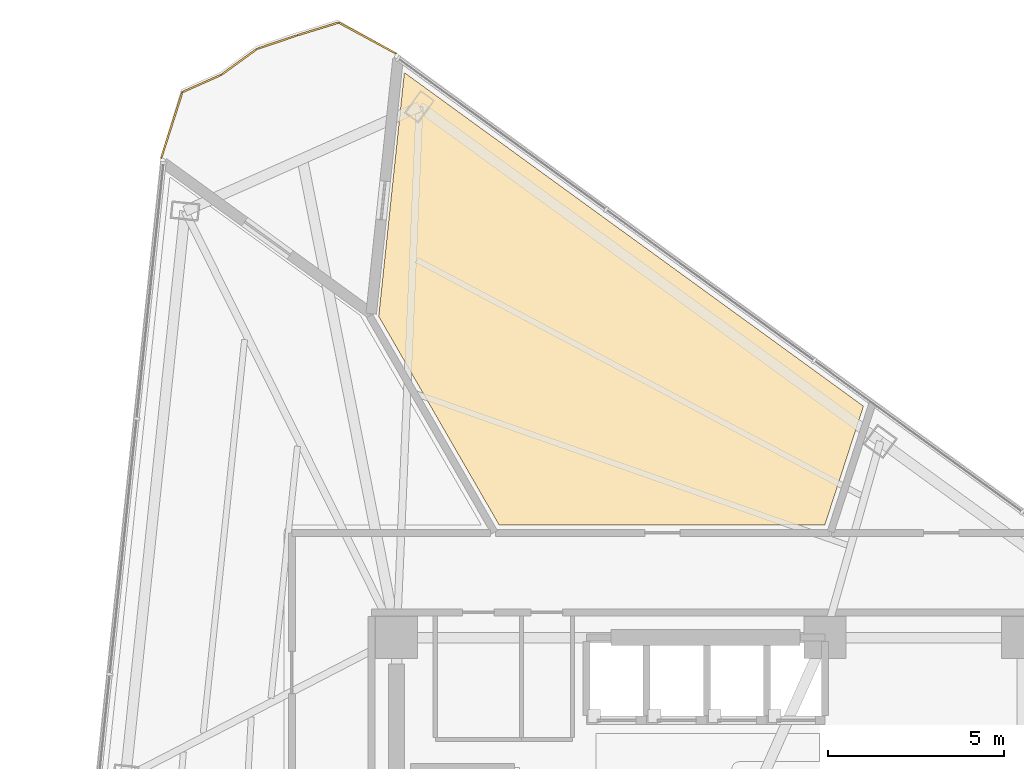
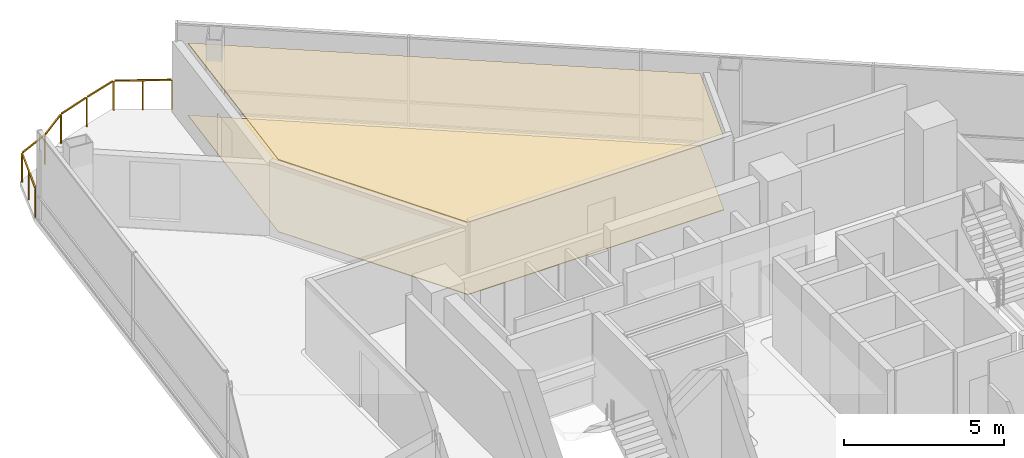
# One storey, part 19 of 19: 2 coverings, 1 railing.
"""IFC4 building model written with IfcOpenShell, lengths in metres."""

from ifc_helpers import new_model, si_unit, direction, frame, origin, origin_2d, place, context, subcontext, project, spatial, polyline, rectangle, outline, extrude, material, layer, layer_set, type_object, element, save


model = new_model("IFC4")

# Units and contexts
model_context = context("Model", 3, precision=1e-05, world=origin(), true_north=direction((0.0, 1.0)))
body_context = subcontext(model_context, "Body", "Model", "MODEL_VIEW")
ifc_project = project(units=[si_unit("LENGTHUNIT", "METRE"), si_unit("AREAUNIT", "SQUARE_METRE"), si_unit("VOLUMEUNIT", "CUBIC_METRE"), si_unit("PLANEANGLEUNIT", "RADIAN"), si_unit("MASSUNIT", "GRAM", prefix="KILO")], contexts=[model_context])

# Site, building, storey
site_placement = place(None, origin())
site = spatial("IfcSite", under=ifc_project, at=site_placement, CompositionType="ELEMENT")
building_placement = place(site_placement, origin())
building = spatial("IfcBuilding", under=site, at=building_placement, Name="Tharavind Bronze Gate", CompositionType="ELEMENT")
storey_placement = place(building_placement, frame((0.0, 0.0, 116.050048828125)))
storey = spatial("IfcBuildingStorey", under=building, at=storey_placement, Name="L29", CompositionType="ELEMENT", Elevation=116.050048828125)

# Coverings
ifc_material_1 = material(Name="Engineered Oak & Carpet Tile", Category="wood")
ifc_layer_1 = layer(ifc_material_1, 0.02490234375)
ifc_layer_set_1 = layer_set([ifc_layer_1], Name="Engineered Oak & Carpet Tile")
covering_type_1 = type_object("IfcCoveringType", Name="ENGINEERED TIMBER FLOORING", PredefinedType="FLOORING", material=ifc_layer_set_1)
covering_1_placement = place(storey_placement, origin())
element("IfcCovering", 1, at=covering_1_placement, inside=storey, type_object=covering_type_1, Name="L29-RM-02 floor finish", PredefinedType="FLOORING", context=body_context, shape_type="SweptSolid", body=[
    extrude(outline(polyline([(-5.981201171875, 10.800048828125), (3.27783203125, 10.800048828125), (4.376953125, 14.1826171875), (-8.6796875, 23.6689453125), (-9.40283203125, 16.78857421875), (-9.404296875, 16.777587890625), (-9.404296875, 16.777099609375), (-9.408935546875, 16.755615234375), (-9.41259765625, 16.743408203125), (-5.981201171875, 10.800048828125)])), origin(), (0.0, 0.0, 1.0), 0.02490234375),
])
ifc_material_2 = material(Name="Acoustic Gypsum Board", Category="gypsum")
ifc_layer_2 = layer(ifc_material_2, 0.030029296875)
ifc_layer_set_2 = layer_set([ifc_layer_2], Name="Acoustic Gypsum Board")
covering_type_2 = type_object("IfcCoveringType", Name="GYPSUM SUSPENDED CEILING", PredefinedType="CEILING", material=ifc_layer_set_2)
covering_2_placement = place(storey_placement, frame((0.0, 0.0, 2.75)))
element("IfcCovering", 2, at=covering_2_placement, inside=storey, type_object=covering_type_2, Name="L29-RM-02 suspended ceiling", PredefinedType="CEILING", context=body_context, shape_type="SweptSolid", body=[
    extrude(outline(polyline([(-5.981201171875, 10.800048828125), (3.27783203125, 10.800048828125), (4.376953125, 14.1826171875), (-8.6796875, 23.6689453125), (-9.40283203125, 16.78857421875), (-9.404296875, 16.777587890625), (-9.404296875, 16.777099609375), (-9.408935546875, 16.755615234375), (-9.41259765625, 16.743408203125), (-5.981201171875, 10.800048828125)])), origin(), (0.0, 0.0, 1.0), 0.034912109375),
])

# Railing
ifc_material_3 = material(Name="Bronze Cap & Laminated Glass", Category="glass")
railing_type = type_object("IfcRailingType", Name="TERRACE GLASS GUARD RAILING 1150", PredefinedType="GUARDRAIL", material=ifc_material_3)
railing_placement = place(storey_placement, frame((-15.5927734375, 21.247802734375, 0.0)))
element("IfcRailing", 3, at=railing_placement, inside=storey, type_object=railing_type, Name="L29 tree balcony guard railing", PredefinedType="GUARDRAIL", context=body_context, shape_type="SweptSolid", body=[
    extrude(rectangle(XDim=0.048095703125, YDim=0.048095703125, at=origin_2d()), frame((0.009765625, 0.030517578125, 1.1259765625), z_axis=(0.305964803424, 0.952042824176, 0.0), x_axis=(-0.952042824176, 0.305964803424, 0.0)), (0.0, 0.0, 1.0), 1.89501953125),
    extrude(rectangle(XDim=0.048095703125, YDim=0.048095703125, at=origin_2d()), frame((0.628662109375, 1.8779296875, 1.1259765625), z_axis=(0.913480304847, 0.406882947119, 0.0), x_axis=(-0.406882947119, 0.913480304847, 0.0)), (0.0, 0.0, 1.0), 1.15283203125),
    extrude(rectangle(XDim=0.048095703125, YDim=0.048095703125, at=origin_2d()), frame((1.73681640625, 2.37890625, 1.1259765625), z_axis=(0.808328551704, 0.588731647272, 0.0), x_axis=(-0.588731647272, 0.808328551704, 0.0)), (0.0, 0.0, 1.0), 1.18017578125),
    extrude(rectangle(XDim=0.048095703125, YDim=0.048095703125, at=origin_2d()), frame((2.746826171875, 3.102783203125, 1.1259765625), z_axis=(0.947113235221, 0.32089954763, 0.0), x_axis=(-0.32089954763, 0.947113235221, 0.0)), (0.0, 0.0, 1.0), 1.157958984375),
    extrude(rectangle(XDim=0.048095703125, YDim=0.048095703125, at=origin_2d()), frame((3.904296875, 3.493896484375, 1.1259765625), z_axis=(0.955925323722, 0.293609903556, 0.0), x_axis=(-0.293609903556, 0.955925323722, 0.0)), (0.0, 0.0, 1.0), 1.16162109375),
    extrude(rectangle(XDim=0.048095703125, YDim=0.048095703125, at=origin_2d()), frame((5.073486328125, 3.829345703125, 1.1259765625), z_axis=(0.880237226365, -0.474533903236, 0.0), x_axis=(0.474533903236, 0.880237226365, 0.0)), (0.0, 0.0, 1.0), 1.780517578125),
    extrude(rectangle(XDim=0.0400390625, YDim=0.0400390625, at=origin_2d()), origin(), (0.0, 0.0, 1.0), 1.097900390625),
    extrude(rectangle(XDim=0.0400390625, YDim=0.0400390625, at=origin_2d()), frame((0.2998046875, 0.9326171875, 0.0)), (0.0, 0.0, 1.0), 1.097900390625),
    extrude(rectangle(XDim=0.0400390625, YDim=0.0400390625, at=origin_2d()), frame((0.599365234375, 1.864990234375, 0.0)), (0.0, 0.0, 1.0), 1.097900390625),
    extrude(rectangle(XDim=0.0400390625, YDim=0.0400390625, at=origin_2d()), frame((1.7109375, 2.360107421875, 0.0)), (0.0, 0.0, 1.0), 1.097900390625),
    extrude(rectangle(XDim=0.0400390625, YDim=0.0400390625, at=origin_2d()), frame((2.716552734375, 3.092529296875, 0.0)), (0.0, 0.0, 1.0), 1.097900390625),
    extrude(rectangle(XDim=0.0400390625, YDim=0.0400390625, at=origin_2d()), frame((3.873779296875, 3.484619140625, 0.0)), (0.0, 0.0, 1.0), 1.097900390625),
    extrude(rectangle(XDim=0.0400390625, YDim=0.0400390625, at=origin_2d()), frame((5.04541015625, 3.844482421875, 0.0)), (0.0, 0.0, 1.0), 1.097900390625),
    extrude(rectangle(XDim=0.0400390625, YDim=0.0400390625, at=origin_2d()), frame((5.857177734375, 3.40673828125, 0.0)), (0.0, 0.0, 1.0), 1.097900390625),
    extrude(rectangle(XDim=0.0400390625, YDim=0.0400390625, at=origin_2d()), frame((6.6689453125, 2.96923828125, 0.0)), (0.0, 0.0, 1.0), 1.097900390625),
])

save(model, "model.ifc")
